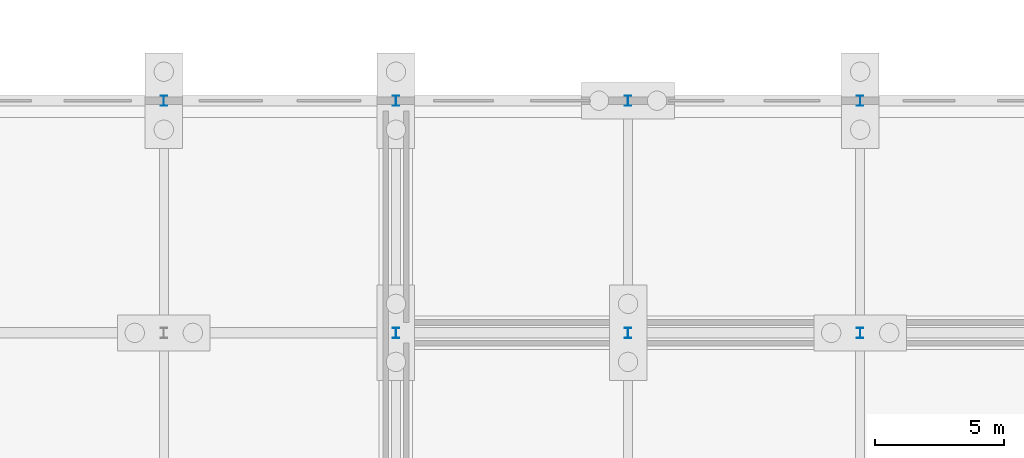
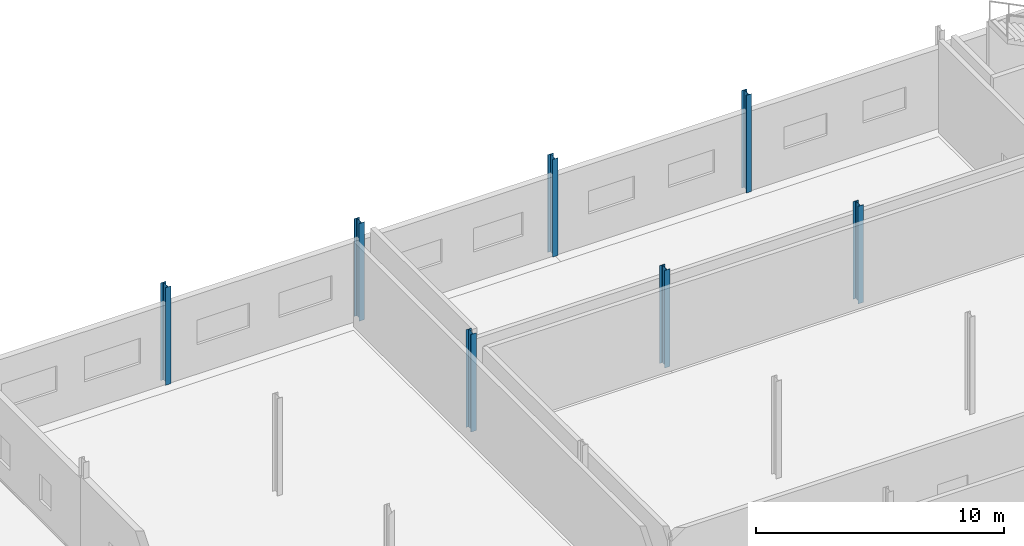
# One storey, part 50 of 112: 7 columns.
"""IFC4 building model written with IfcOpenShell, lengths in metres."""

from ifc_helpers import new_model, si_unit, direction, frame, origin, origin_2d, place, context, subcontext, project, spatial, i_section, extrude, material, material_profile, profile_set, type_object, element, save


model = new_model("IFC4")

# Units and contexts
model_context = context("Model", 3, precision=1e-05, world=origin(), true_north=direction((0.0, 1.0)))
body_context = subcontext(model_context, "Body", "Model", "MODEL_VIEW")
ifc_project = project(units=[si_unit("LENGTHUNIT", "METRE"), si_unit("AREAUNIT", "SQUARE_METRE"), si_unit("VOLUMEUNIT", "CUBIC_METRE"), si_unit("PLANEANGLEUNIT", "RADIAN"), si_unit("MASSUNIT", "GRAM", prefix="KILO")], contexts=[model_context])

# Site, building, storey
site_placement = place(None, origin())
site = spatial("IfcSite", under=ifc_project, at=site_placement, CompositionType="ELEMENT")
building_placement = place(site_placement, origin())
building = spatial("IfcBuilding", under=site, at=building_placement, Name="Tharagai Park Tramway Depot", CompositionType="ELEMENT")
storey_placement = place(building_placement, origin())
storey = spatial("IfcBuildingStorey", under=building, at=storey_placement, Name="L00", CompositionType="ELEMENT", Elevation=0.0)

# Columns
ifc_material = material(Name="Steel E350", Category="steel")
ifc_material_profile = material_profile(ifc_material, i_section(OverallWidth=0.25, OverallDepth=0.39990234375, WebThickness=0.010498046875, FlangeThickness=0.0126953125, FilletRadius=0.013916015625, at=origin_2d()), Name="ISHB 400")
ifc_profile_set = profile_set([ifc_material_profile], Name="Steel E350")
column_type = type_object("IfcColumnType", Name="CL-06", PredefinedType="COLUMN", material=ifc_profile_set)
for number, where, z_axis, x_axis, name in (
    (1, (171.0, 135.0, 0.0), (0.0, 0.0, 1.0), (1.0, 0.0, 0.0), "L00 Structural Column CL-06 (171,135)"),
    (2, (180.0, 126.0, 0.0), (0.0, 0.0, 1.0), (1.0, 0.0, 0.0), "L00 Structural Column CL-06 (180,126)"),
    (3, (180.0, 135.0, 0.0), (0.0, 0.0, 1.0), (1.0, 0.0, 0.0), "L00 Structural Column CL-06 (180,135)"),
    (4, (189.0, 126.0, 0.0), (0.0, 0.0, 1.0), (1.0, 0.0, 0.0), "L00 Structural Column CL-06 (189,126)"),
    (5, (189.0, 135.0, 0.0), (0.0, 0.0, 1.0), (1.0, 0.0, 0.0), "L00 Structural Column CL-06 (189,135)"),
    (6, (198.0, 126.0, 0.0), (0.0, 0.0, 1.0), (1.0, 0.0, 0.0), "L00 Structural Column CL-06 (198,126)"),
    (7, (198.0, 135.0, 0.0), (0.0, 0.0, 1.0), (1.0, 0.0, 0.0), "L00 Structural Column CL-06 (198,135)"),
):
    element("IfcColumn", number, at=place(storey_placement, frame(where, z_axis=z_axis, x_axis=x_axis)), inside=storey, type_object=column_type, Name=name, PredefinedType="COLUMN", context=body_context, shape_type="SweptSolid", body=[
        extrude(i_section(OverallWidth=0.25, OverallDepth=0.39990234375, WebThickness=0.010498046875, FlangeThickness=0.0126953125, FilletRadius=0.013916015625, at=origin_2d()), origin(), (0.0, 0.0, 1.0), 4.800048828125),
    ])

save(model, "model.ifc")
